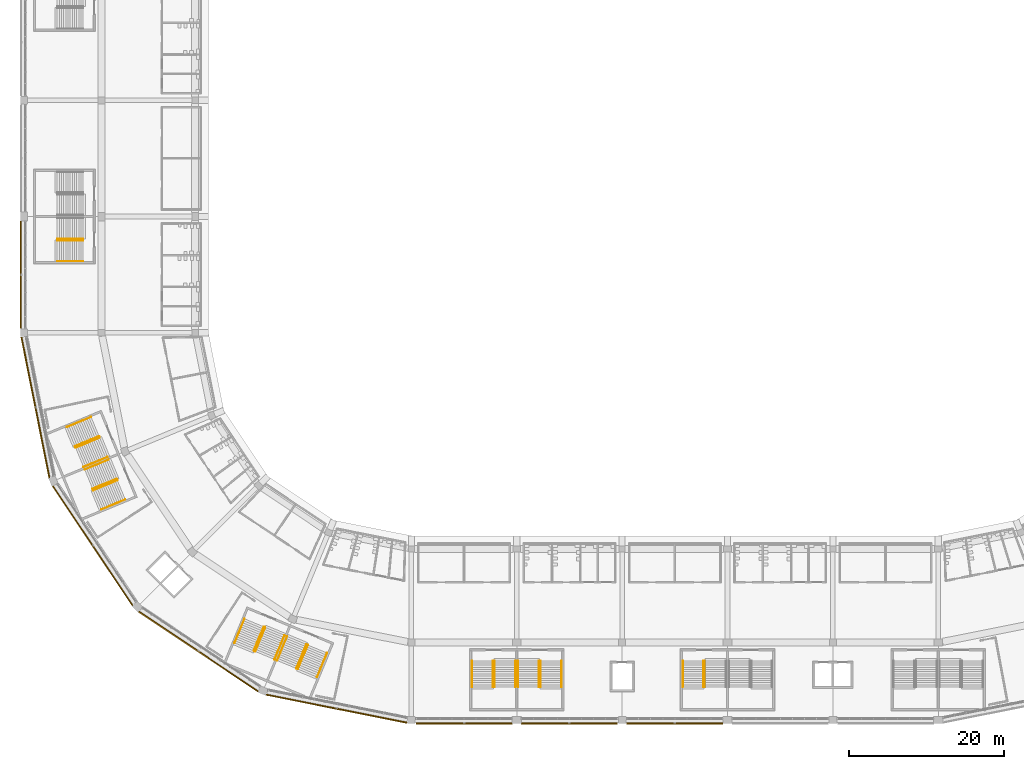
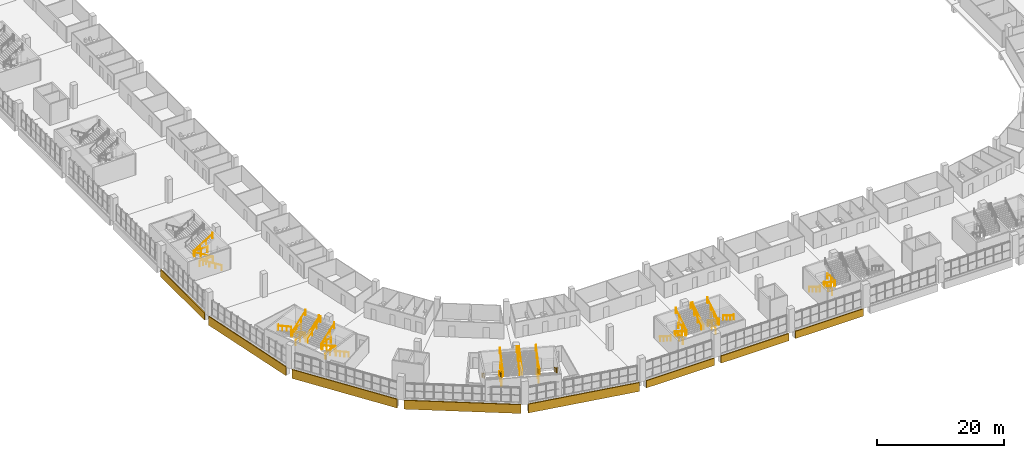
# One storey, part 186 of 199: 45 railings, 8 coverings.
"""IFC4 building model written with IfcOpenShell, lengths in metres."""

from ifc_helpers import new_model, si_unit, direction, frame, origin, origin_2d, place, context, subcontext, project, spatial, polyline, circle, outline, extrude, material, layer, layer_set, type_object, element, save


model = new_model("IFC4")

# Units and contexts
model_context = context("Model", 3, precision=1e-05, world=origin(), true_north=direction((0.0, 1.0)))
body_context = subcontext(model_context, "Body", "Model", "MODEL_VIEW")
ifc_project = project(units=[si_unit("LENGTHUNIT", "METRE"), si_unit("AREAUNIT", "SQUARE_METRE"), si_unit("VOLUMEUNIT", "CUBIC_METRE"), si_unit("PLANEANGLEUNIT", "RADIAN"), si_unit("MASSUNIT", "GRAM", prefix="KILO")], contexts=[model_context])

# Site, building, storey
site_placement = place(None, origin())
site = spatial("IfcSite", under=ifc_project, at=site_placement, CompositionType="ELEMENT")
building_placement = place(site_placement, origin())
building = spatial("IfcBuilding", under=site, at=building_placement, Name="Ogive Plaza Stadium", CompositionType="ELEMENT")
storey_placement = place(building_placement, frame((0.0, 0.0, 4.5)))
storey = spatial("IfcBuildingStorey", under=building, at=storey_placement, Name="L01", CompositionType="ELEMENT", Elevation=4.5)

# Railings
ifc_material_1 = material(Name="Steel ASTM A572 Grade 50", Category="steel")
railing_type_1 = type_object("IfcRailingType", Name="Guard 1100", PredefinedType="GUARDRAIL", material=ifc_material_1)
for number, where, name in (
    (1, (3.824951171875, -94.85009765625, 0.0), "Stair well guard ST14A L01"),
    (2, (3.824951171875, -95.81005859375, 2.25), "Stair well guard ST14A L01"),
    (3, (-23.375, -94.85009765625, 0.0), "Stair well guard ST16A L01"),
    (4, (-23.375, -95.81005859375, 2.25), "Stair well guard ST16A L01"),
    (5, (-17.425048828125, -94.85009765625, 0.0), "Stair well guard ST16B L01"),
    (6, (-17.425048828125, -95.81005859375, 2.25), "Stair well guard ST16B L01"),
):
    element("IfcRailing", number, at=place(storey_placement, frame(where)), inside=storey, type_object=railing_type_1, Name=name, PredefinedType="GUARDRAIL", context=body_context, shape_type="SweptSolid", body=[
        extrude(circle(Radius=0.02392578125, at=origin_2d()), frame((0.0, 0.0, 1.076171875), z_axis=(0.0, -1.0, 0.0), x_axis=(1.0, 0.0, 0.0)), (0.0, 0.0, 1.0), 2.39990234375),
        extrude(circle(Radius=0.02099609375, at=origin_2d()), origin(), (0.0, 0.0, 1.0), 1.052001953125),
        extrude(circle(Radius=0.02099609375, at=origin_2d()), frame((0.0, -1.199951171875, 0.0)), (0.0, 0.0, 1.0), 1.052001953125),
        extrude(circle(Radius=0.02099609375, at=origin_2d()), frame((0.0, -2.39990234375, 0.0)), (0.0, 0.0, 1.0), 1.052001953125),
    ])
for number, where, name in (
    (7, (-52.955078125, -90.48779296875, 0.0), "Stair well guard ST18A L01"),
    (8, (-53.322509765625, -91.374755859375, 2.25), "Stair well guard ST18A L01"),
    (9, (-47.4580078125, -92.764892578125, 0.0), "Stair well guard ST18B L01"),
    (10, (-47.825439453125, -93.651611328125, 2.25), "Stair well guard ST18B L01"),
):
    element("IfcRailing", number, at=place(storey_placement, frame(where)), inside=storey, type_object=railing_type_1, Name=name, PredefinedType="GUARDRAIL", context=body_context, shape_type="SweptSolid", body=[
        extrude(circle(Radius=0.02392578125, at=origin_2d()), frame((0.0, 0.0, 1.076171875), z_axis=(-0.382693194178, -0.923875488976, 0.0), x_axis=(0.923875488976, -0.382693194178, 0.0)), (0.0, 0.0, 1.0), 2.39990234375),
        extrude(circle(Radius=0.02099609375, at=origin_2d()), origin(), (0.0, 0.0, 1.0), 1.052001953125),
        extrude(circle(Radius=0.02099609375, at=origin_2d()), frame((-0.459228515625, -1.108642578125, 0.0)), (0.0, 0.0, 1.0), 1.052001953125),
        extrude(circle(Radius=0.02099609375, at=origin_2d()), frame((-0.91845703125, -2.21728515625, 0.0)), (0.0, 0.0, 1.0), 1.052001953125),
    ])
for number, where, name in (
    (11, (-74.264892578125, -65.9580078125, 0.0), "Stair well guard ST20A L01"),
    (12, (-75.151611328125, -66.325439453125, 2.25), "Stair well guard ST20A L01"),
    (13, (-71.98779296875, -71.455078125, 0.0), "Stair well guard ST20B L01"),
    (14, (-72.874755859375, -71.822509765625, 2.25), "Stair well guard ST20B L01"),
):
    element("IfcRailing", number, at=place(storey_placement, frame(where)), inside=storey, type_object=railing_type_1, Name=name, PredefinedType="GUARDRAIL", context=body_context, shape_type="SweptSolid", body=[
        extrude(circle(Radius=0.02392578125, at=origin_2d()), frame((0.0, 0.0, 1.076171875), z_axis=(-0.923875488976, -0.382693194178, 0.0), x_axis=(0.382693194178, -0.923875488976, 0.0)), (0.0, 0.0, 1.0), 2.39990234375),
        extrude(circle(Radius=0.02099609375, at=origin_2d()), origin(), (0.0, 0.0, 1.0), 1.052001953125),
        extrude(circle(Radius=0.02099609375, at=origin_2d()), frame((-1.108642578125, -0.459228515625, 0.0)), (0.0, 0.0, 1.0), 1.052001953125),
        extrude(circle(Radius=0.02099609375, at=origin_2d()), frame((-2.21728515625, -0.91845703125, 0.0)), (0.0, 0.0, 1.0), 1.052001953125),
    ])
for number, where, name in (
    (15, (-76.35009765625, -40.47509765625, 0.0), "Stair well guard ST22B L01"),
    (16, (-77.31005859375, -40.47509765625, 2.25), "Stair well guard ST22B L01"),
):
    element("IfcRailing", number, at=place(storey_placement, frame(where)), inside=storey, type_object=railing_type_1, Name=name, PredefinedType="GUARDRAIL", context=body_context, shape_type="SweptSolid", body=[
        extrude(circle(Radius=0.02392578125, at=origin_2d()), frame((0.0, 0.0, 1.076171875), z_axis=(-1.0, 0.0, 0.0), x_axis=(0.0, -1.0, 0.0)), (0.0, 0.0, 1.0), 2.39990234375),
        extrude(circle(Radius=0.02099609375, at=origin_2d()), origin(), (0.0, 0.0, 1.0), 1.052001953125),
        extrude(circle(Radius=0.02099609375, at=origin_2d()), frame((-1.199951171875, 0.0, 0.0)), (0.0, 0.0, 1.0), 1.052001953125),
        extrude(circle(Radius=0.02099609375, at=origin_2d()), frame((-2.39990234375, 0.0, 0.0)), (0.0, 0.0, 1.0), 1.052001953125),
    ])
ifc_material_2 = material(Name="Steel ASTM A572 Grade 50", Category="steel")
railing_type_2 = type_object("IfcRailingType", Name="Handrail 900", PredefinedType="HANDRAIL", material=ifc_material_2)
for number, where, name in (
    (17, (1.034912109375, -94.85009765625, 0.173095703125), "Handrail ST14A L01"),
    (18, (3.715087890625, -94.85009765625, 0.173095703125), "Handrail ST14A L01"),
    (19, (-26.1650390625, -94.85009765625, 0.173095703125), "Handrail ST16A L01"),
    (20, (-23.485107421875, -94.85009765625, 0.173095703125), "Handrail ST16A L01"),
):
    element("IfcRailing", number, at=place(storey_placement, frame(where)), inside=storey, type_object=railing_type_2, Name=name, PredefinedType="HANDRAIL", context=body_context, shape_type="SweptSolid", body=[
        extrude(circle(Radius=0.02392578125, at=origin_2d()), frame((0.0, 0.0, 0.8759765625), z_axis=(0.0, -0.850606129759, 0.525803396734), x_axis=(1.0, 0.0, 0.0)), (0.0, 0.0, 1.0), 3.949951171875),
        extrude(circle(Radius=0.02099609375, at=origin_2d()), origin(), (0.0, 0.0, 1.0), 0.851806640625),
        extrude(circle(Radius=0.02099609375, at=origin_2d()), frame((0.0, -1.119873046875, 0.6923828125)), (0.0, 0.0, 1.0), 0.851806640625),
        extrude(circle(Radius=0.02099609375, at=origin_2d()), frame((0.0, -2.239990234375, 1.384521484375)), (0.0, 0.0, 1.0), 0.851806640625),
        extrude(circle(Radius=0.02099609375, at=origin_2d()), frame((0.0, -3.35986328125, 2.076904296875)), (0.0, 0.0, 1.0), 1.10009765625),
    ])
for number, where, name in (
    (21, (-23.264892578125, -98.2099609375, 2.423095703125), "Handrail ST16A L01"),
    (22, (-20.5849609375, -98.2099609375, 2.423095703125), "Handrail ST16A L01"),
):
    element("IfcRailing", number, at=place(storey_placement, frame(where)), inside=storey, type_object=railing_type_2, Name=name, PredefinedType="HANDRAIL", context=body_context, shape_type="SweptSolid", body=[
        extrude(circle(Radius=0.02392578125, at=origin_2d()), frame((0.0, 0.0, 0.8759765625), z_axis=(0.0, 0.850606129759, 0.525803396734), x_axis=(-1.0, 0.0, 0.0)), (0.0, 0.0, 1.0), 3.949951171875),
        extrude(circle(Radius=0.02099609375, at=origin_2d()), origin(), (0.0, 0.0, 1.0), 0.851806640625),
        extrude(circle(Radius=0.02099609375, at=origin_2d()), frame((0.0, 1.119873046875, 0.6923828125)), (0.0, 0.0, 1.0), 0.851806640625),
        extrude(circle(Radius=0.02099609375, at=origin_2d()), frame((0.0, 2.239990234375, 1.384521484375)), (0.0, 0.0, 1.0), 0.851806640625),
        extrude(circle(Radius=0.02099609375, at=origin_2d()), frame((0.0, 3.35986328125, 2.076904296875)), (0.0, 0.0, 1.0), 1.10009765625),
    ])
for number, where, name in (
    (23, (-17.31494140625, -94.85009765625, 0.173095703125), "Handrail ST16B L01"),
    (24, (-14.635009765625, -94.85009765625, 0.173095703125), "Handrail ST16B L01"),
):
    element("IfcRailing", number, at=place(storey_placement, frame(where)), inside=storey, type_object=railing_type_2, Name=name, PredefinedType="HANDRAIL", context=body_context, shape_type="SweptSolid", body=[
        extrude(circle(Radius=0.02392578125, at=origin_2d()), frame((0.0, 0.0, 0.8759765625), z_axis=(0.0, -0.850606129759, 0.525803396734), x_axis=(1.0, 0.0, 0.0)), (0.0, 0.0, 1.0), 3.949951171875),
        extrude(circle(Radius=0.02099609375, at=origin_2d()), origin(), (0.0, 0.0, 1.0), 0.851806640625),
        extrude(circle(Radius=0.02099609375, at=origin_2d()), frame((0.0, -1.119873046875, 0.6923828125)), (0.0, 0.0, 1.0), 0.851806640625),
        extrude(circle(Radius=0.02099609375, at=origin_2d()), frame((0.0, -2.239990234375, 1.384521484375)), (0.0, 0.0, 1.0), 0.851806640625),
        extrude(circle(Radius=0.02099609375, at=origin_2d()), frame((0.0, -3.35986328125, 2.076904296875)), (0.0, 0.0, 1.0), 1.10009765625),
    ])
for number, where, name in (
    (25, (-20.215087890625, -98.2099609375, 2.423095703125), "Handrail ST16B L01"),
    (26, (-17.534912109375, -98.2099609375, 2.423095703125), "Handrail ST16B L01"),
):
    element("IfcRailing", number, at=place(storey_placement, frame(where)), inside=storey, type_object=railing_type_2, Name=name, PredefinedType="HANDRAIL", context=body_context, shape_type="SweptSolid", body=[
        extrude(circle(Radius=0.02392578125, at=origin_2d()), frame((0.0, 0.0, 0.8759765625), z_axis=(0.0, 0.850606129759, 0.525803396734), x_axis=(-1.0, 0.0, 0.0)), (0.0, 0.0, 1.0), 3.949951171875),
        extrude(circle(Radius=0.02099609375, at=origin_2d()), origin(), (0.0, 0.0, 1.0), 0.851806640625),
        extrude(circle(Radius=0.02099609375, at=origin_2d()), frame((0.0, 1.119873046875, 0.6923828125)), (0.0, 0.0, 1.0), 0.851806640625),
        extrude(circle(Radius=0.02099609375, at=origin_2d()), frame((0.0, 2.239990234375, 1.384521484375)), (0.0, 0.0, 1.0), 0.851806640625),
        extrude(circle(Radius=0.02099609375, at=origin_2d()), frame((0.0, 3.35986328125, 2.076904296875)), (0.0, 0.0, 1.0), 1.10009765625),
    ])
railing_1_placement = place(storey_placement, frame((-55.53271484375, -89.420166015625, 0.173095703125)))
element("IfcRailing", 27, at=railing_1_placement, inside=storey, type_object=railing_type_2, Name="Handrail ST18A L01", PredefinedType="HANDRAIL", context=body_context, shape_type="SweptSolid", body=[
    extrude(circle(Radius=0.02392578125, at=origin_2d()), frame((0.0, 0.0, 0.8759765625), z_axis=(-0.32553207776, -0.785862990074, 0.525783441334), x_axis=(0.923872479269, -0.382700459954, 0.0)), (0.0, 0.0, 1.0), 3.9501953125),
    extrude(circle(Radius=0.02099609375, at=origin_2d()), origin(), (0.0, 0.0, 1.0), 0.851806640625),
    extrude(circle(Radius=0.02099609375, at=origin_2d()), frame((-0.4287109375, -1.03466796875, 0.6923828125)), (0.0, 0.0, 1.0), 0.851806640625),
    extrude(circle(Radius=0.02099609375, at=origin_2d()), frame((-0.857177734375, -2.069580078125, 1.384521484375)), (0.0, 0.0, 1.0), 0.851806640625),
    extrude(circle(Radius=0.02099609375, at=origin_2d()), frame((-1.285888671875, -3.104248046875, 2.076904296875)), (0.0, 0.0, 1.0), 1.10009765625),
])
railing_2_placement = place(storey_placement, frame((-53.056884765625, -90.44580078125, 0.173095703125)))
element("IfcRailing", 28, at=railing_2_placement, inside=storey, type_object=railing_type_2, Name="Handrail ST18A L01", PredefinedType="HANDRAIL", context=body_context, shape_type="SweptSolid", body=[
    extrude(circle(Radius=0.02392578125, at=origin_2d()), frame((0.0, 0.0, 0.8759765625), z_axis=(-0.325476819766, -0.785878800478, 0.525794019321), x_axis=(0.923898168054, -0.382638439086, 0.0)), (0.0, 0.0, 1.0), 3.949951171875),
    extrude(circle(Radius=0.02099609375, at=origin_2d()), origin(), (0.0, 0.0, 1.0), 0.851806640625),
    extrude(circle(Radius=0.02099609375, at=origin_2d()), frame((-0.428466796875, -1.03466796875, 0.6923828125)), (0.0, 0.0, 1.0), 0.851806640625),
    extrude(circle(Radius=0.02099609375, at=origin_2d()), frame((-0.857177734375, -2.069580078125, 1.384521484375)), (0.0, 0.0, 1.0), 0.851806640625),
    extrude(circle(Radius=0.02099609375, at=origin_2d()), frame((-1.28564453125, -3.104248046875, 2.076904296875)), (0.0, 0.0, 1.0), 1.10009765625),
])
railing_3_placement = place(storey_placement, frame((-54.139404296875, -93.634033203125, 2.423095703125)))
element("IfcRailing", 29, at=railing_3_placement, inside=storey, type_object=railing_type_2, Name="Handrail ST18A L01", PredefinedType="HANDRAIL", context=body_context, shape_type="SweptSolid", body=[
    extrude(circle(Radius=0.02392578125, at=origin_2d()), frame((0.0, 0.0, 0.8759765625), z_axis=(0.325547889718, 0.78583935255, 0.525808980033), x_axis=(-0.923861836433, 0.382726151683, 0.0)), (0.0, 0.0, 1.0), 3.949951171875),
    extrude(circle(Radius=0.02099609375, at=origin_2d()), origin(), (0.0, 0.0, 1.0), 0.851806640625),
    extrude(circle(Radius=0.02099609375, at=origin_2d()), frame((0.4287109375, 1.03466796875, 0.6923828125)), (0.0, 0.0, 1.0), 0.851806640625),
    extrude(circle(Radius=0.02099609375, at=origin_2d()), frame((0.857177734375, 2.0693359375, 1.384521484375)), (0.0, 0.0, 1.0), 0.851806640625),
    extrude(circle(Radius=0.02099609375, at=origin_2d()), frame((1.285888671875, 3.10400390625, 2.076904296875)), (0.0, 0.0, 1.0), 1.10009765625),
])
railing_4_placement = place(storey_placement, frame((-51.663330078125, -94.65966796875, 2.423095703125)))
element("IfcRailing", 30, at=railing_4_placement, inside=storey, type_object=railing_type_2, Name="Handrail ST18A L01", PredefinedType="HANDRAIL", context=body_context, shape_type="SweptSolid", body=[
    extrude(circle(Radius=0.02392578125, at=origin_2d()), frame((0.0, 0.0, 0.8759765625), z_axis=(0.32553207776, 0.785862990074, 0.525783441334), x_axis=(-0.923872479269, 0.382700459954, 0.0)), (0.0, 0.0, 1.0), 3.9501953125),
    extrude(circle(Radius=0.02099609375, at=origin_2d()), origin(), (0.0, 0.0, 1.0), 0.851806640625),
    extrude(circle(Radius=0.02099609375, at=origin_2d()), frame((0.4287109375, 1.03466796875, 0.6923828125)), (0.0, 0.0, 1.0), 0.851806640625),
    extrude(circle(Radius=0.02099609375, at=origin_2d()), frame((0.857177734375, 2.069580078125, 1.384521484375)), (0.0, 0.0, 1.0), 0.851806640625),
    extrude(circle(Radius=0.02099609375, at=origin_2d()), frame((1.285888671875, 3.104248046875, 2.076904296875)), (0.0, 0.0, 1.0), 1.10009765625),
])
for number, where, name in (
    (31, (-47.3564453125, -92.806884765625, 0.173095703125), "Handrail ST18B L01"),
    (32, (-44.88037109375, -93.83251953125, 0.173095703125), "Handrail ST18B L01"),
):
    element("IfcRailing", number, at=place(storey_placement, frame(where)), inside=storey, type_object=railing_type_2, Name=name, PredefinedType="HANDRAIL", context=body_context, shape_type="SweptSolid", body=[
        extrude(circle(Radius=0.02392578125, at=origin_2d()), frame((0.0, 0.0, 0.8759765625), z_axis=(-0.32553207776, -0.785862990074, 0.525783441334), x_axis=(0.923872479269, -0.382700459954, 0.0)), (0.0, 0.0, 1.0), 3.9501953125),
        extrude(circle(Radius=0.02099609375, at=origin_2d()), origin(), (0.0, 0.0, 1.0), 0.851806640625),
        extrude(circle(Radius=0.02099609375, at=origin_2d()), frame((-0.4287109375, -1.03466796875, 0.6923828125)), (0.0, 0.0, 1.0), 0.851806640625),
        extrude(circle(Radius=0.02099609375, at=origin_2d()), frame((-0.857177734375, -2.069580078125, 1.384521484375)), (0.0, 0.0, 1.0), 0.851806640625),
        extrude(circle(Radius=0.02099609375, at=origin_2d()), frame((-1.285888671875, -3.104248046875, 2.076904296875)), (0.0, 0.0, 1.0), 1.10009765625),
    ])
railing_5_placement = place(storey_placement, frame((-51.321533203125, -94.80126953125, 2.423095703125)))
element("IfcRailing", 33, at=railing_5_placement, inside=storey, type_object=railing_type_2, Name="Handrail ST18B L01", PredefinedType="HANDRAIL", context=body_context, shape_type="SweptSolid", body=[
    extrude(circle(Radius=0.02392578125, at=origin_2d()), frame((0.0, 0.0, 0.8759765625), z_axis=(0.32553207776, 0.785862990074, 0.525783441334), x_axis=(-0.923872479269, 0.382700459954, 0.0)), (0.0, 0.0, 1.0), 3.9501953125),
    extrude(circle(Radius=0.02099609375, at=origin_2d()), origin(), (0.0, 0.0, 1.0), 0.851806640625),
    extrude(circle(Radius=0.02099609375, at=origin_2d()), frame((0.4287109375, 1.03466796875, 0.6923828125)), (0.0, 0.0, 1.0), 0.851806640625),
    extrude(circle(Radius=0.02099609375, at=origin_2d()), frame((0.857177734375, 2.069580078125, 1.384521484375)), (0.0, 0.0, 1.0), 0.851806640625),
    extrude(circle(Radius=0.02099609375, at=origin_2d()), frame((1.285888671875, 3.104248046875, 2.076904296875)), (0.0, 0.0, 1.0), 1.10009765625),
])
railing_6_placement = place(storey_placement, frame((-48.845458984375, -95.826904296875, 2.423095703125)))
element("IfcRailing", 34, at=railing_6_placement, inside=storey, type_object=railing_type_2, Name="Handrail ST18B L01", PredefinedType="HANDRAIL", context=body_context, shape_type="SweptSolid", body=[
    extrude(circle(Radius=0.02392578125, at=origin_2d()), frame((0.0, 0.0, 0.8759765625), z_axis=(0.325476819766, 0.785878800478, 0.525794019321), x_axis=(-0.923898168054, 0.382638439086, 0.0)), (0.0, 0.0, 1.0), 3.949951171875),
    extrude(circle(Radius=0.02099609375, at=origin_2d()), origin(), (0.0, 0.0, 1.0), 0.851806640625),
    extrude(circle(Radius=0.02099609375, at=origin_2d()), frame((0.428466796875, 1.03466796875, 0.6923828125)), (0.0, 0.0, 1.0), 0.851806640625),
    extrude(circle(Radius=0.02099609375, at=origin_2d()), frame((0.857177734375, 2.069580078125, 1.384521484375)), (0.0, 0.0, 1.0), 0.851806640625),
    extrude(circle(Radius=0.02099609375, at=origin_2d()), frame((1.28564453125, 3.104248046875, 2.076904296875)), (0.0, 0.0, 1.0), 1.10009765625),
])
for number, where, name in (
    (35, (-75.33251953125, -63.38037109375, 0.173095703125), "Handrail ST20A L01"),
    (36, (-74.306884765625, -65.8564453125, 0.173095703125), "Handrail ST20A L01"),
):
    element("IfcRailing", number, at=place(storey_placement, frame(where)), inside=storey, type_object=railing_type_2, Name=name, PredefinedType="HANDRAIL", context=body_context, shape_type="SweptSolid", body=[
        extrude(circle(Radius=0.02392578125, at=origin_2d()), frame((0.0, 0.0, 0.8759765625), z_axis=(-0.785862990074, -0.32553207776, 0.525783441334), x_axis=(0.382700459954, -0.923872479269, 0.0)), (0.0, 0.0, 1.0), 3.9501953125),
        extrude(circle(Radius=0.02099609375, at=origin_2d()), origin(), (0.0, 0.0, 1.0), 0.851806640625),
        extrude(circle(Radius=0.02099609375, at=origin_2d()), frame((-1.03466796875, -0.4287109375, 0.6923828125)), (0.0, 0.0, 1.0), 0.851806640625),
        extrude(circle(Radius=0.02099609375, at=origin_2d()), frame((-2.069580078125, -0.857177734375, 1.384521484375)), (0.0, 0.0, 1.0), 0.851806640625),
        extrude(circle(Radius=0.02099609375, at=origin_2d()), frame((-3.104248046875, -1.285888671875, 2.076904296875)), (0.0, 0.0, 1.0), 1.10009765625),
    ])
railing_7_placement = place(storey_placement, frame((-77.326904296875, -67.345458984375, 2.423095703125)))
element("IfcRailing", 37, at=railing_7_placement, inside=storey, type_object=railing_type_2, Name="Handrail ST20A L01", PredefinedType="HANDRAIL", context=body_context, shape_type="SweptSolid", body=[
    extrude(circle(Radius=0.02392578125, at=origin_2d()), frame((0.0, 0.0, 0.8759765625), z_axis=(0.785878800478, 0.325476819766, 0.525794019321), x_axis=(-0.382638439086, 0.923898168054, 0.0)), (0.0, 0.0, 1.0), 3.949951171875),
    extrude(circle(Radius=0.02099609375, at=origin_2d()), origin(), (0.0, 0.0, 1.0), 0.851806640625),
    extrude(circle(Radius=0.02099609375, at=origin_2d()), frame((1.03466796875, 0.428466796875, 0.6923828125)), (0.0, 0.0, 1.0), 0.851806640625),
    extrude(circle(Radius=0.02099609375, at=origin_2d()), frame((2.069580078125, 0.857177734375, 1.384521484375)), (0.0, 0.0, 1.0), 0.851806640625),
    extrude(circle(Radius=0.02099609375, at=origin_2d()), frame((3.104248046875, 1.28564453125, 2.076904296875)), (0.0, 0.0, 1.0), 1.10009765625),
])
railing_8_placement = place(storey_placement, frame((-76.30126953125, -69.821533203125, 2.423095703125)))
element("IfcRailing", 38, at=railing_8_placement, inside=storey, type_object=railing_type_2, Name="Handrail ST20A L01", PredefinedType="HANDRAIL", context=body_context, shape_type="SweptSolid", body=[
    extrude(circle(Radius=0.02392578125, at=origin_2d()), frame((0.0, 0.0, 0.8759765625), z_axis=(0.785862990074, 0.32553207776, 0.525783441334), x_axis=(-0.382700459954, 0.923872479269, 0.0)), (0.0, 0.0, 1.0), 3.9501953125),
    extrude(circle(Radius=0.02099609375, at=origin_2d()), origin(), (0.0, 0.0, 1.0), 0.851806640625),
    extrude(circle(Radius=0.02099609375, at=origin_2d()), frame((1.03466796875, 0.4287109375, 0.6923828125)), (0.0, 0.0, 1.0), 0.851806640625),
    extrude(circle(Radius=0.02099609375, at=origin_2d()), frame((2.069580078125, 0.857177734375, 1.384521484375)), (0.0, 0.0, 1.0), 0.851806640625),
    extrude(circle(Radius=0.02099609375, at=origin_2d()), frame((3.104248046875, 1.285888671875, 2.076904296875)), (0.0, 0.0, 1.0), 1.10009765625),
])
railing_9_placement = place(storey_placement, frame((-71.94580078125, -71.556884765625, 0.173095703125)))
element("IfcRailing", 39, at=railing_9_placement, inside=storey, type_object=railing_type_2, Name="Handrail ST20B L01", PredefinedType="HANDRAIL", context=body_context, shape_type="SweptSolid", body=[
    extrude(circle(Radius=0.02392578125, at=origin_2d()), frame((0.0, 0.0, 0.8759765625), z_axis=(-0.785878800478, -0.325476819766, 0.525794019321), x_axis=(0.382638439086, -0.923898168054, 0.0)), (0.0, 0.0, 1.0), 3.949951171875),
    extrude(circle(Radius=0.02099609375, at=origin_2d()), origin(), (0.0, 0.0, 1.0), 0.851806640625),
    extrude(circle(Radius=0.02099609375, at=origin_2d()), frame((-1.03466796875, -0.428466796875, 0.6923828125)), (0.0, 0.0, 1.0), 0.851806640625),
    extrude(circle(Radius=0.02099609375, at=origin_2d()), frame((-2.069580078125, -0.857177734375, 1.384521484375)), (0.0, 0.0, 1.0), 0.851806640625),
    extrude(circle(Radius=0.02099609375, at=origin_2d()), frame((-3.104248046875, -1.28564453125, 2.076904296875)), (0.0, 0.0, 1.0), 1.10009765625),
])
railing_10_placement = place(storey_placement, frame((-70.920166015625, -74.03271484375, 0.173095703125)))
element("IfcRailing", 40, at=railing_10_placement, inside=storey, type_object=railing_type_2, Name="Handrail ST20B L01", PredefinedType="HANDRAIL", context=body_context, shape_type="SweptSolid", body=[
    extrude(circle(Radius=0.02392578125, at=origin_2d()), frame((0.0, 0.0, 0.8759765625), z_axis=(-0.785862990074, -0.32553207776, 0.525783441334), x_axis=(0.382700459954, -0.923872479269, 0.0)), (0.0, 0.0, 1.0), 3.9501953125),
    extrude(circle(Radius=0.02099609375, at=origin_2d()), origin(), (0.0, 0.0, 1.0), 0.851806640625),
    extrude(circle(Radius=0.02099609375, at=origin_2d()), frame((-1.03466796875, -0.4287109375, 0.6923828125)), (0.0, 0.0, 1.0), 0.851806640625),
    extrude(circle(Radius=0.02099609375, at=origin_2d()), frame((-2.069580078125, -0.857177734375, 1.384521484375)), (0.0, 0.0, 1.0), 0.851806640625),
    extrude(circle(Radius=0.02099609375, at=origin_2d()), frame((-3.104248046875, -1.285888671875, 2.076904296875)), (0.0, 0.0, 1.0), 1.10009765625),
])
railing_11_placement = place(storey_placement, frame((-76.15966796875, -70.163330078125, 2.423095703125)))
element("IfcRailing", 41, at=railing_11_placement, inside=storey, type_object=railing_type_2, Name="Handrail ST20B L01", PredefinedType="HANDRAIL", context=body_context, shape_type="SweptSolid", body=[
    extrude(circle(Radius=0.02392578125, at=origin_2d()), frame((0.0, 0.0, 0.8759765625), z_axis=(0.785862990074, 0.32553207776, 0.525783441334), x_axis=(-0.382700459954, 0.923872479269, 0.0)), (0.0, 0.0, 1.0), 3.9501953125),
    extrude(circle(Radius=0.02099609375, at=origin_2d()), origin(), (0.0, 0.0, 1.0), 0.851806640625),
    extrude(circle(Radius=0.02099609375, at=origin_2d()), frame((1.03466796875, 0.4287109375, 0.6923828125)), (0.0, 0.0, 1.0), 0.851806640625),
    extrude(circle(Radius=0.02099609375, at=origin_2d()), frame((2.069580078125, 0.857177734375, 1.384521484375)), (0.0, 0.0, 1.0), 0.851806640625),
    extrude(circle(Radius=0.02099609375, at=origin_2d()), frame((3.104248046875, 1.285888671875, 2.076904296875)), (0.0, 0.0, 1.0), 1.10009765625),
])
railing_12_placement = place(storey_placement, frame((-75.134033203125, -72.639404296875, 2.423095703125)))
element("IfcRailing", 42, at=railing_12_placement, inside=storey, type_object=railing_type_2, Name="Handrail ST20B L01", PredefinedType="HANDRAIL", context=body_context, shape_type="SweptSolid", body=[
    extrude(circle(Radius=0.02392578125, at=origin_2d()), frame((0.0, 0.0, 0.8759765625), z_axis=(0.78583935255, 0.325547889718, 0.525808980033), x_axis=(-0.382726151683, 0.923861836433, 0.0)), (0.0, 0.0, 1.0), 3.949951171875),
    extrude(circle(Radius=0.02099609375, at=origin_2d()), origin(), (0.0, 0.0, 1.0), 0.851806640625),
    extrude(circle(Radius=0.02099609375, at=origin_2d()), frame((1.03466796875, 0.4287109375, 0.6923828125)), (0.0, 0.0, 1.0), 0.851806640625),
    extrude(circle(Radius=0.02099609375, at=origin_2d()), frame((2.0693359375, 0.857177734375, 1.384521484375)), (0.0, 0.0, 1.0), 0.851806640625),
    extrude(circle(Radius=0.02099609375, at=origin_2d()), frame((3.10400390625, 1.285888671875, 2.076904296875)), (0.0, 0.0, 1.0), 1.10009765625),
])
for number, where, name in (
    (43, (-76.35009765625, -40.5849609375, 0.173095703125), "Handrail ST22B L01"),
    (44, (-76.35009765625, -43.264892578125, 0.173095703125), "Handrail ST22B L01"),
):
    element("IfcRailing", number, at=place(storey_placement, frame(where)), inside=storey, type_object=railing_type_2, Name=name, PredefinedType="HANDRAIL", context=body_context, shape_type="SweptSolid", body=[
        extrude(circle(Radius=0.02392578125, at=origin_2d()), frame((0.0, 0.0, 0.8759765625), z_axis=(-0.850606129759, 0.0, 0.525803396734), x_axis=(0.0, -1.0, 0.0)), (0.0, 0.0, 1.0), 3.949951171875),
        extrude(circle(Radius=0.02099609375, at=origin_2d()), origin(), (0.0, 0.0, 1.0), 0.851806640625),
        extrude(circle(Radius=0.02099609375, at=origin_2d()), frame((-1.119873046875, 0.0, 0.6923828125)), (0.0, 0.0, 1.0), 0.851806640625),
        extrude(circle(Radius=0.02099609375, at=origin_2d()), frame((-2.239990234375, 0.0, 1.384521484375)), (0.0, 0.0, 1.0), 0.851806640625),
        extrude(circle(Radius=0.02099609375, at=origin_2d()), frame((-3.35986328125, 0.0, 2.076904296875)), (0.0, 0.0, 1.0), 1.10009765625),
    ])
railing_13_placement = place(storey_placement, frame((-79.7099609375, -40.364990234375, 2.423095703125)))
element("IfcRailing", 45, at=railing_13_placement, inside=storey, type_object=railing_type_2, Name="Handrail ST22B L01", PredefinedType="HANDRAIL", context=body_context, shape_type="SweptSolid", body=[
    extrude(circle(Radius=0.02392578125, at=origin_2d()), frame((0.0, 0.0, 0.8759765625), z_axis=(0.850606129759, 0.0, 0.525803396734), x_axis=(0.0, 1.0, 0.0)), (0.0, 0.0, 1.0), 3.949951171875),
    extrude(circle(Radius=0.02099609375, at=origin_2d()), origin(), (0.0, 0.0, 1.0), 0.851806640625),
    extrude(circle(Radius=0.02099609375, at=origin_2d()), frame((1.119873046875, 0.0, 0.6923828125)), (0.0, 0.0, 1.0), 0.851806640625),
    extrude(circle(Radius=0.02099609375, at=origin_2d()), frame((2.239990234375, 0.0, 1.384521484375)), (0.0, 0.0, 1.0), 0.851806640625),
    extrude(circle(Radius=0.02099609375, at=origin_2d()), frame((3.35986328125, 0.0, 2.076904296875)), (0.0, 0.0, 1.0), 1.10009765625),
])

# Coverings
ifc_material_3 = material(Name="Cast stone (reconstituted limestone)", Category="masonry")
ifc_layer = layer(ifc_material_3, 0.159912109375)
ifc_layer_set = layer_set([ifc_layer], Name="Precast spandrel cladding 160")
covering_type = type_object("IfcCoveringType", Name="Precast spandrel cladding 160", PredefinedType="CLADDING", material=ifc_layer_set)
covering_1_placement = place(storey_placement, frame((0.0, 0.0, -1.409912109375)))
element("IfcCovering", 46, at=covering_1_placement, inside=storey, type_object=covering_type, Name="SPANDREL CLADDING B14 L01", PredefinedType="CLADDING", context=body_context, shape_type="SweptSolid", body=[
    extrude(outline(polyline([(6.199951171875, -102.85009765625), (-6.199951171875, -102.85009765625), (-6.199951171875, -103.010009765625), (6.199951171875, -103.010009765625), (6.199951171875, -102.85009765625)])), origin(), (0.0, 0.0, 1.0), 1.409912109375),
])
covering_2_placement = place(storey_placement, frame((0.0, 0.0, -1.409912109375)))
element("IfcCovering", 47, at=covering_2_placement, inside=storey, type_object=covering_type, Name="SPANDREL CLADDING B15 L01", PredefinedType="CLADDING", context=body_context, shape_type="SweptSolid", body=[
    extrude(outline(polyline([(-7.39990234375, -102.85009765625), (-19.800048828125, -102.85009765625), (-19.800048828125, -103.010009765625), (-7.39990234375, -103.010009765625), (-7.39990234375, -102.85009765625)])), origin(), (0.0, 0.0, 1.0), 1.409912109375),
])
covering_3_placement = place(storey_placement, frame((0.0, 0.0, -1.409912109375)))
element("IfcCovering", 48, at=covering_3_placement, inside=storey, type_object=covering_type, Name="SPANDREL CLADDING B16 L01", PredefinedType="CLADDING", context=body_context, shape_type="SweptSolid", body=[
    extrude(outline(polyline([(-21.0, -102.85009765625), (-33.39990234375, -102.85009765625), (-33.39990234375, -103.010009765625), (-21.0, -103.010009765625), (-21.0, -102.85009765625)])), origin(), (0.0, 0.0, 1.0), 1.409912109375),
])
covering_4_placement = place(storey_placement, frame((0.0, 0.0, -1.7099609375)))
element("IfcCovering", 49, at=covering_4_placement, inside=storey, type_object=covering_type, Name="SPANDREL CLADDING B17 L01", PredefinedType="CLADDING", context=body_context, shape_type="SweptSolid", body=[
    extrude(outline(polyline([(-34.550048828125, -102.74755859375), (-52.720703125, -99.133056640625), (-52.751953125, -99.2900390625), (-34.581298828125, -102.904296875), (-34.550048828125, -102.74755859375)])), origin(), (0.0, 0.0, 1.0), 1.7099609375),
])
covering_5_placement = place(storey_placement, frame((0.0, 0.0, -1.7099609375)))
element("IfcCovering", 50, at=covering_5_placement, inside=storey, type_object=covering_type, Name="SPANDREL CLADDING B18 L01", PredefinedType="CLADDING", context=body_context, shape_type="SweptSolid", body=[
    extrude(outline(polyline([(-53.737060546875, -98.712158203125), (-69.141357421875, -88.419189453125), (-69.230224609375, -88.55224609375), (-53.825927734375, -98.84521484375), (-53.737060546875, -98.712158203125)])), origin(), (0.0, 0.0, 1.0), 1.7099609375),
])
covering_6_placement = place(storey_placement, frame((0.0, 0.0, -1.7099609375)))
element("IfcCovering", 51, at=covering_6_placement, inside=storey, type_object=covering_type, Name="SPANDREL CLADDING B19 L01", PredefinedType="CLADDING", context=body_context, shape_type="SweptSolid", body=[
    extrude(outline(polyline([(-69.919189453125, -87.641357421875), (-80.212158203125, -72.237060546875), (-80.34521484375, -72.325927734375), (-70.05224609375, -87.730224609375), (-69.919189453125, -87.641357421875)])), origin(), (0.0, 0.0, 1.0), 1.7099609375),
])
covering_7_placement = place(storey_placement, frame((0.0, 0.0, -1.7099609375)))
element("IfcCovering", 52, at=covering_7_placement, inside=storey, type_object=covering_type, Name="SPANDREL CLADDING B20 L01", PredefinedType="CLADDING", context=body_context, shape_type="SweptSolid", body=[
    extrude(outline(polyline([(-80.633056640625, -71.220703125), (-84.24755859375, -53.050048828125), (-84.404296875, -53.081298828125), (-80.7900390625, -71.251953125), (-80.633056640625, -71.220703125)])), origin(), (0.0, 0.0, 1.0), 1.7099609375),
])
covering_8_placement = place(storey_placement, frame((0.0, 0.0, -1.409912109375)))
element("IfcCovering", 53, at=covering_8_placement, inside=storey, type_object=covering_type, Name="SPANDREL CLADDING B21 L01", PredefinedType="CLADDING", context=body_context, shape_type="SweptSolid", body=[
    extrude(outline(polyline([(-84.35009765625, -51.89990234375), (-84.35009765625, -38.10009765625), (-84.510009765625, -38.10009765625), (-84.510009765625, -51.89990234375), (-84.35009765625, -51.89990234375)])), origin(), (0.0, 0.0, 1.0), 1.409912109375),
])

save(model, "model.ifc")
